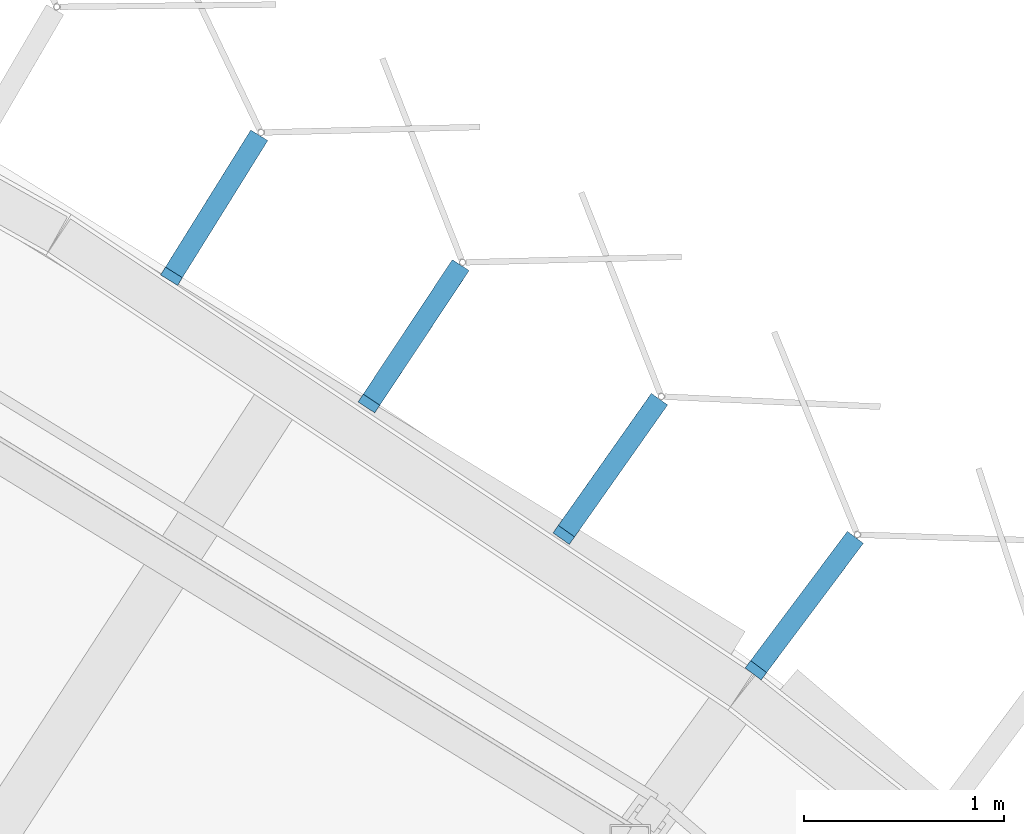
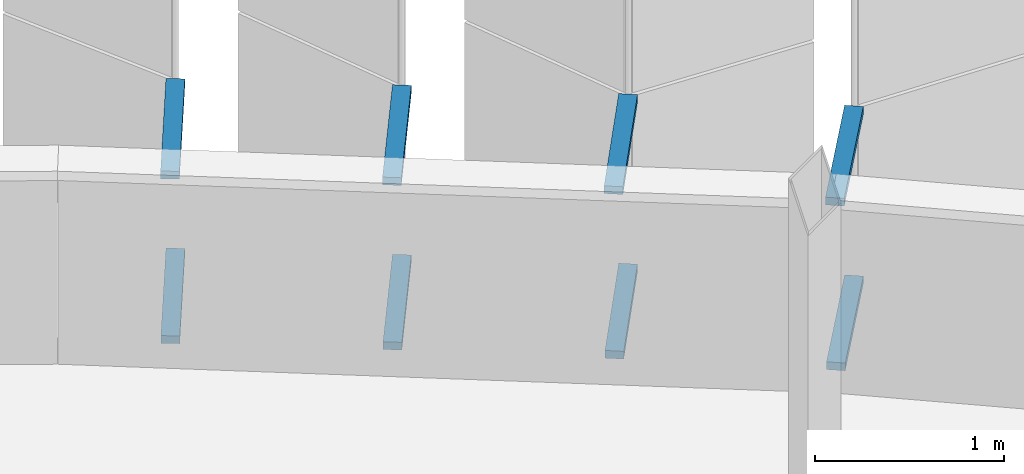
# One storey, part 458 of 483: 8 discrete accessories.
"""IFC4 building model written with IfcOpenShell, lengths in metres."""

from ifc_helpers import new_model, si_unit, direction, frame, origin, origin_2d, place, context, subcontext, project, spatial, rectangle, extrude, material, type_object, element, save


model = new_model("IFC4")

# Units and contexts
model_context = context("Model", 3, precision=1e-05, world=origin(), true_north=direction((0.0, 1.0)))
body_context = subcontext(model_context, "Body", "Model", "MODEL_VIEW")
ifc_project = project(units=[si_unit("LENGTHUNIT", "METRE"), si_unit("AREAUNIT", "SQUARE_METRE"), si_unit("VOLUMEUNIT", "CUBIC_METRE"), si_unit("PLANEANGLEUNIT", "RADIAN"), si_unit("MASSUNIT", "GRAM", prefix="KILO")], contexts=[model_context])

# Site, building, storey
site_placement = place(None, origin())
site = spatial("IfcSite", under=ifc_project, at=site_placement, CompositionType="ELEMENT")
building_placement = place(site_placement, origin())
building = spatial("IfcBuilding", under=site, at=building_placement, Name="Parallax Yard Mobility Hub", CompositionType="ELEMENT")
storey_placement = place(building_placement, frame((0.0, 0.0, 13.199951171875)))
storey = spatial("IfcBuildingStorey", under=building, at=storey_placement, Name="L04", CompositionType="ELEMENT", Elevation=13.199951171875)

# Discrete accessories
ifc_material = material(Name="Steel ASTM A36, hot-dip galvanised", Category="steel")
discrete_accessory_type = type_object("IfcDiscreteAccessoryType", Name="Hinge bracket plate 100x50", PredefinedType="BRACKET", material=ifc_material)
discrete_accessory_1_placement = place(storey_placement, frame((203.59716796875, 132.798828125, -0.02490234375), z_axis=(0.0, 0.0, 1.0), x_axis=(0.599277920549, 0.800541050754, 0.0)))
element("IfcDiscreteAccessory", 1, at=discrete_accessory_1_placement, inside=storey, type_object=discrete_accessory_type, Name="Hinge bracket plate bay 47.1 level L04", PredefinedType="BRACKET", context=body_context, shape_type="SweptSolid", body=[
    extrude(rectangle(XDim=0.80810546875, YDim=0.10009765625, at=origin_2d()), origin(), (0.0, 0.0, 1.0), 0.050048828125),
])
discrete_accessory_2_placement = place(storey_placement, frame((203.58349609375, 132.780517578125, 1.06982421875), z_axis=(0.0, 0.0, 1.0), x_axis=(0.599277920549, 0.800541050754, 0.0)))
element("IfcDiscreteAccessory", 2, at=discrete_accessory_2_placement, inside=storey, type_object=discrete_accessory_type, Name="Hinge bracket plate bay 47.1 level L04", PredefinedType="BRACKET", context=body_context, shape_type="SweptSolid", body=[
    extrude(rectangle(XDim=0.85400390625, YDim=0.10009765625, at=origin_2d()), origin(), (0.0, 0.0, 1.0), 0.050048828125),
])
discrete_accessory_3_placement = place(storey_placement, frame((202.62646484375, 133.4833984375, -0.02490234375), z_axis=(0.0, 0.0, 1.0), x_axis=(0.576172721078, 0.817327960788, 0.0)))
element("IfcDiscreteAccessory", 3, at=discrete_accessory_3_placement, inside=storey, type_object=discrete_accessory_type, Name="Hinge bracket plate bay 47.2 level L04", PredefinedType="BRACKET", context=body_context, shape_type="SweptSolid", body=[
    extrude(rectangle(XDim=0.80810546875, YDim=0.10009765625, at=origin_2d()), origin(), (0.0, 0.0, 1.0), 0.050048828125),
])
discrete_accessory_4_placement = place(storey_placement, frame((202.613037109375, 133.464599609375, 1.06982421875), z_axis=(0.0, 0.0, 1.0), x_axis=(0.576172721078, 0.817327960788, 0.0)))
element("IfcDiscreteAccessory", 4, at=discrete_accessory_4_placement, inside=storey, type_object=discrete_accessory_type, Name="Hinge bracket plate bay 47.2 level L04", PredefinedType="BRACKET", context=body_context, shape_type="SweptSolid", body=[
    extrude(rectangle(XDim=0.85400390625, YDim=0.10009765625, at=origin_2d()), origin(), (0.0, 0.0, 1.0), 0.050048828125),
])
discrete_accessory_5_placement = place(storey_placement, frame((201.6416015625, 134.1474609375, -0.02490234375), z_axis=(0.0, 0.0, 1.0), x_axis=(0.552599020627, 0.833447252321, 0.0)))
element("IfcDiscreteAccessory", 5, at=discrete_accessory_5_placement, inside=storey, type_object=discrete_accessory_type, Name="Hinge bracket plate bay 47.3 level L04", PredefinedType="BRACKET", context=body_context, shape_type="SweptSolid", body=[
    extrude(rectangle(XDim=0.80810546875, YDim=0.10009765625, at=origin_2d()), origin(), (0.0, 0.0, 1.0), 0.050048828125),
])
discrete_accessory_6_placement = place(storey_placement, frame((201.62890625, 134.128173828125, 1.06982421875), z_axis=(0.0, 0.0, 1.0), x_axis=(0.552599020627, 0.833447252321, 0.0)))
element("IfcDiscreteAccessory", 6, at=discrete_accessory_6_placement, inside=storey, type_object=discrete_accessory_type, Name="Hinge bracket plate bay 47.3 level L04", PredefinedType="BRACKET", context=body_context, shape_type="SweptSolid", body=[
    extrude(rectangle(XDim=0.85400390625, YDim=0.10009765625, at=origin_2d()), origin(), (0.0, 0.0, 1.0), 0.050048828125),
])
discrete_accessory_7_placement = place(storey_placement, frame((200.643310546875, 134.790771484375, -0.02490234375), z_axis=(0.0, 0.0, 1.0), x_axis=(0.528573165953, 0.848887747723, 0.0)))
element("IfcDiscreteAccessory", 7, at=discrete_accessory_7_placement, inside=storey, type_object=discrete_accessory_type, Name="Hinge bracket plate bay 47.4 level L04", PredefinedType="BRACKET", context=body_context, shape_type="SweptSolid", body=[
    extrude(rectangle(XDim=0.80810546875, YDim=0.10009765625, at=origin_2d()), origin(), (0.0, 0.0, 1.0), 0.050048828125),
])
discrete_accessory_8_placement = place(storey_placement, frame((200.631103515625, 134.771240234375, 1.06982421875), z_axis=(0.0, 0.0, 1.0), x_axis=(0.528573165953, 0.848887747723, 0.0)))
element("IfcDiscreteAccessory", 8, at=discrete_accessory_8_placement, inside=storey, type_object=discrete_accessory_type, Name="Hinge bracket plate bay 47.4 level L04", PredefinedType="BRACKET", context=body_context, shape_type="SweptSolid", body=[
    extrude(rectangle(XDim=0.85400390625, YDim=0.10009765625, at=origin_2d()), origin(), (0.0, 0.0, 1.0), 0.050048828125),
])

save(model, "model.ifc")
